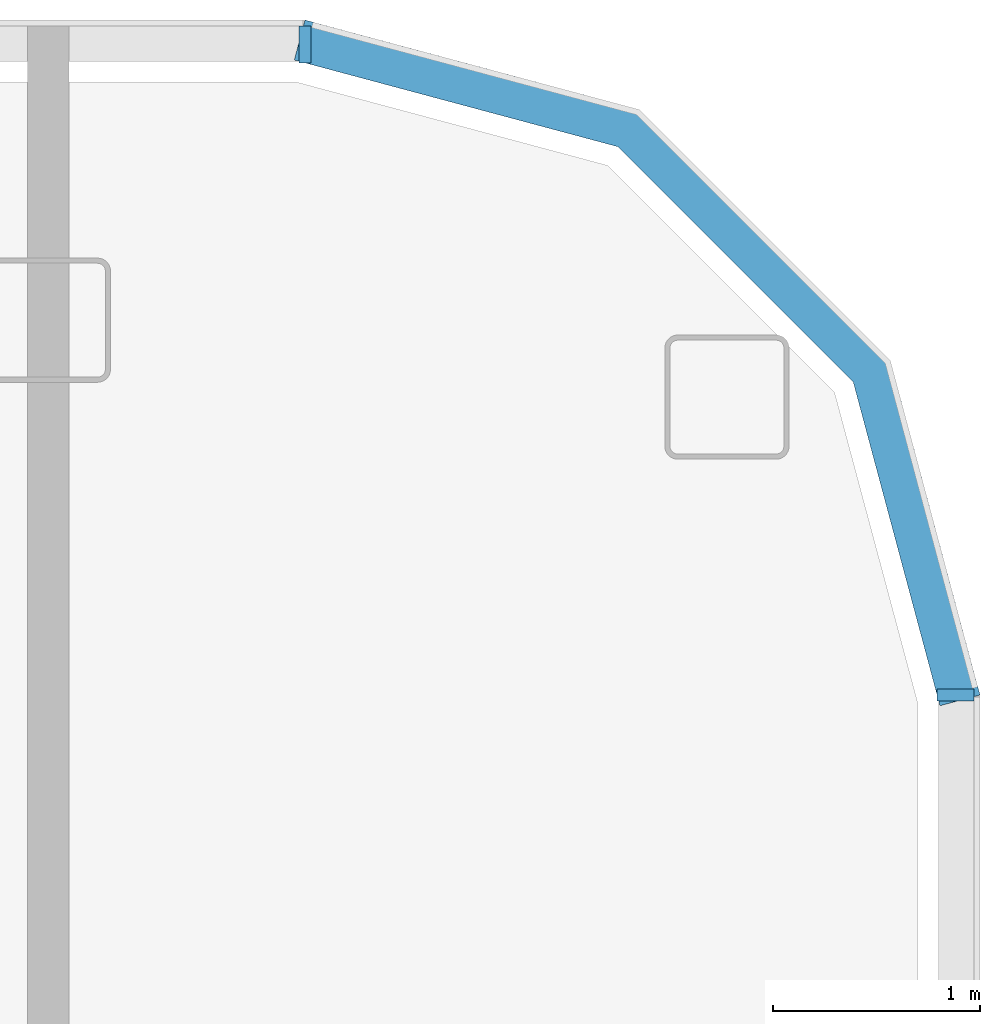
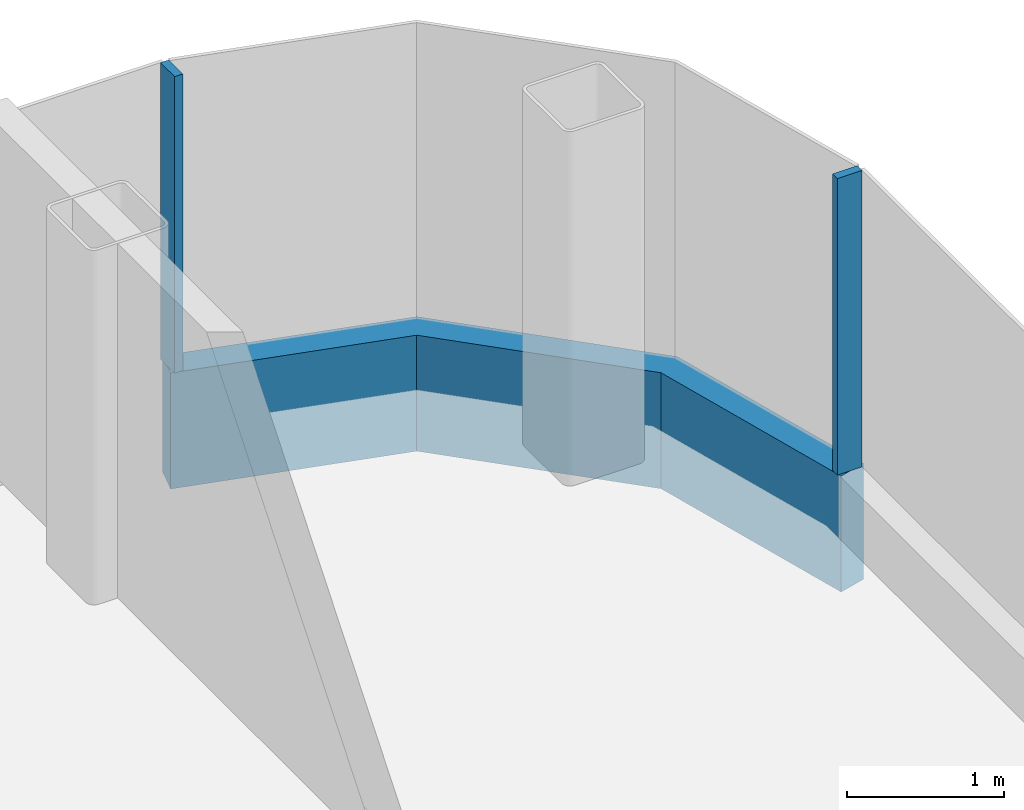
# One storey, part 11 of 26: 3 members, 3 elements without a shape of their own.
"""IFC4 building model written with IfcOpenShell, lengths in metres."""

from ifc_helpers import new_model, si_unit, direction, frame, origin, origin_2d, place, context, subcontext, project, spatial, polyline, rectangle, outline, extrude, material, layer, layer_set, material_profile, profile_set, type_object, element, aggregate, save


model = new_model("IFC4")

# Units and contexts
model_context = context("Model", 3, precision=1e-05, world=origin(), true_north=direction((0.0, 1.0)))
body_context = subcontext(model_context, "Body", "Model", "MODEL_VIEW")
ifc_project = project(units=[si_unit("LENGTHUNIT", "METRE"), si_unit("AREAUNIT", "SQUARE_METRE"), si_unit("VOLUMEUNIT", "CUBIC_METRE"), si_unit("PLANEANGLEUNIT", "RADIAN"), si_unit("MASSUNIT", "GRAM", prefix="KILO")], contexts=[model_context])

# Site, building, storey
site_placement = place(None, origin())
site = spatial("IfcSite", under=ifc_project, at=site_placement, CompositionType="ELEMENT")
building_placement = place(site_placement, origin())
building = spatial("IfcBuilding", under=site, at=building_placement, Name="Hakoniwa Tower and Hamabe Station Hall", CompositionType="ELEMENT")
storey_placement = place(building_placement, frame((0.0, 0.0, 215.39990234375)))
storey = spatial("IfcBuildingStorey", under=building, at=storey_placement, Name="L61", CompositionType="ELEMENT", Elevation=215.39990234375)

# Curtain wall, member
ifc_material_1 = material(Name="Dark low-e laminated glass", Category="glass")
ifc_layer = layer(ifc_material_1, 0.199951171875)
ifc_layer_set = layer_set([ifc_layer], Name="CW-1 UNITISED GUEST")
curtain_wall_type = type_object("IfcCurtainWallType", Name="CW-1 UNITISED GUEST", PredefinedType="NOTDEFINED", material=ifc_layer_set)
curtain_wall_1_placement = place(storey_placement, origin())
curtain_wall_1 = element("IfcCurtainWall", 1, at=curtain_wall_1_placement, inside=storey, type_object=curtain_wall_type, Name="CW-1 curtain wall", PredefinedType="NOTDEFINED")
ifc_material_2 = material(Name="Aluminium 6063-T5 black anodised", Category="aluminium")
ifc_material_profile_1 = material_profile(ifc_material_2, rectangle(XDim=0.199951171875, YDim=0.89990234375, at=origin_2d()), Name="CW SLAB-EDGE BAND 900X200")
ifc_profile_set_1 = profile_set([ifc_material_profile_1], Name="Aluminium 6063-T5 black anodised")
member_type_1 = type_object("IfcMemberType", Name="CW SLAB-EDGE BAND 900X200", PredefinedType="USERDEFINED", material=ifc_profile_set_1)
member_1_placement = place(storey_placement, frame((0.0, 0.0, -0.5498046875)))
member_1 = element("IfcMember", 2, at=member_1_placement, type_object=member_type_1, Name="CW-1 transom", ObjectType="TRANSOM", PredefinedType="USERDEFINED", context=body_context, shape_type="SweptSolid", body=[
    extrude(outline(polyline([(38.10009765625, 17.28955078125), (37.6669921875, 18.9052734375), (36.455322265625, 20.116943359375), (34.839599609375, 20.550048828125), (34.787841796875, 20.35693359375), (36.351806640625, 19.937744140625), (37.48779296875, 18.8017578125), (37.90673828125, 17.23779296875), (38.10009765625, 17.28955078125)])), origin(), (0.0, 0.0, 1.0), 0.89990234375),
])
aggregate(curtain_wall_1, [member_1])

curtain_wall_2_placement = place(storey_placement, origin())
curtain_wall_2 = element("IfcCurtainWall", 3, at=curtain_wall_2_placement, inside=storey, type_object=curtain_wall_type, Name="CW-1 curtain wall", PredefinedType="NOTDEFINED")
ifc_material_3 = material(Name="Aluminium 6063-T5 black anodised", Category="aluminium")
ifc_material_profile_2 = material_profile(ifc_material_3, rectangle(XDim=0.06005859375, YDim=0.179931640625, at=origin_2d()), Name="CW-1 MULLION 60X180")
ifc_profile_set_2 = profile_set([ifc_material_profile_2], Name="Aluminium 6063-T5 black anodised")
member_type_2 = type_object("IfcMemberType", Name="CW-1 MULLION 60X180", PredefinedType="MULLION", material=ifc_profile_set_2)
member_2_placement = place(storey_placement, frame((37.98193359375, 17.28955078125, 0.35009765625), z_axis=(0.0, 0.0, 1.0), x_axis=(0.0, 1.0, 0.0)))
member_2 = element("IfcMember", 4, at=member_2_placement, type_object=member_type_2, Name="CW-1 mullion", PredefinedType="MULLION", context=body_context, shape_type="SweptSolid", body=[
    extrude(rectangle(XDim=0.06005859375, YDim=0.179931640625, at=origin_2d()), origin(), (0.0, 0.0, 1.0), 2.300048828125),
])
aggregate(curtain_wall_2, [member_2])

curtain_wall_3_placement = place(storey_placement, origin())
curtain_wall_3 = element("IfcCurtainWall", 5, at=curtain_wall_3_placement, inside=storey, type_object=curtain_wall_type, Name="CW-1 curtain wall", PredefinedType="NOTDEFINED")
member_3_placement = place(storey_placement, frame((34.839599609375, 20.431884765625, 0.35009765625), z_axis=(0.0, 0.0, 1.0), x_axis=(-1.0, 0.0, 0.0)))
member_3 = element("IfcMember", 6, at=member_3_placement, type_object=member_type_2, Name="CW-1 mullion", PredefinedType="MULLION", context=body_context, shape_type="SweptSolid", body=[
    extrude(rectangle(XDim=0.06005859375, YDim=0.179931640625, at=origin_2d()), origin(), (0.0, 0.0, 1.0), 2.300048828125),
])
aggregate(curtain_wall_3, [member_3])

save(model, "model.ifc")
